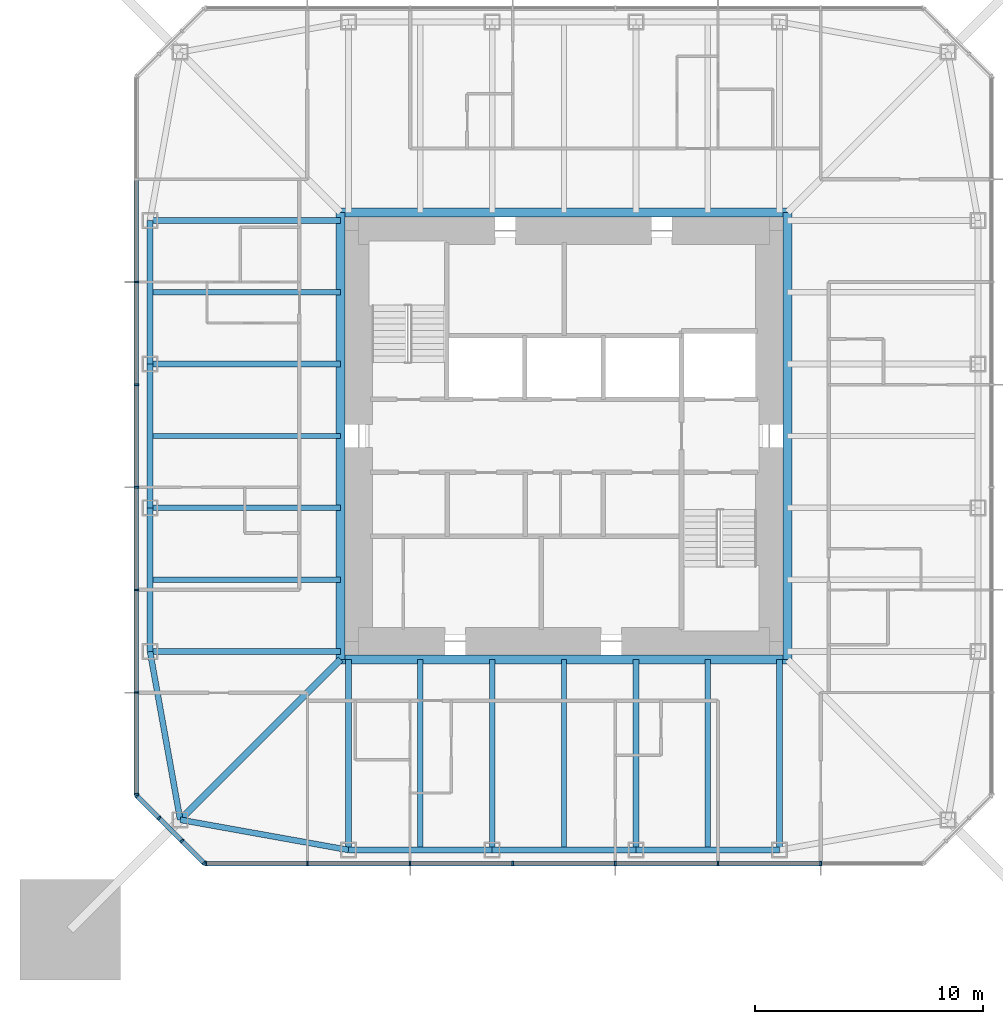
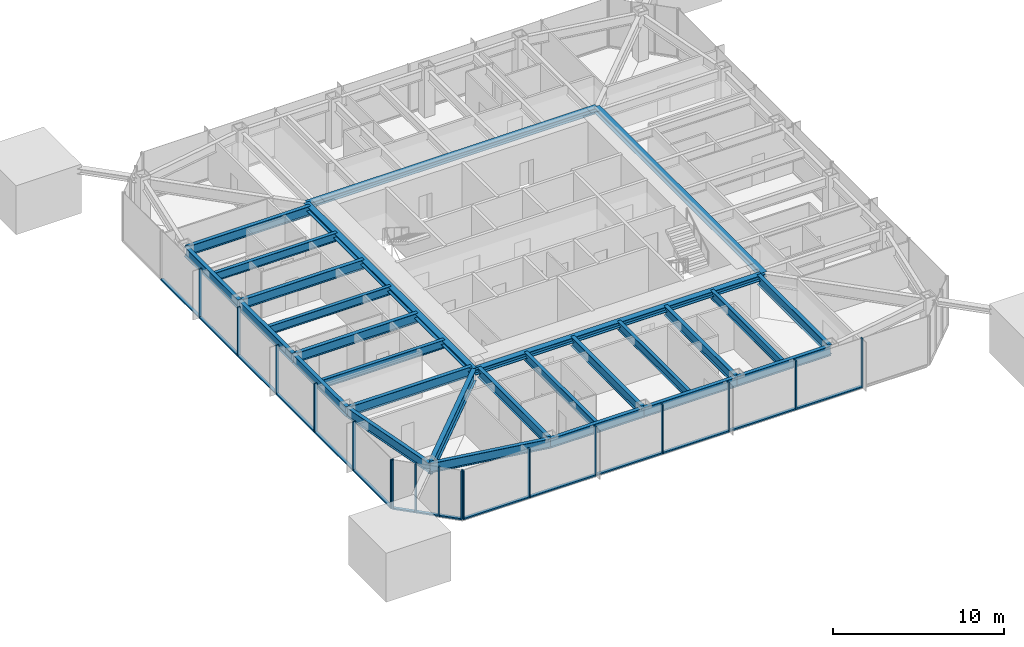
# One storey, part 2 of 11: 32 members, 27 beams, 3 elements without a shape of their own.
"""IFC4 building model written with IfcOpenShell, lengths in metres."""

from ifc_helpers import new_model, si_unit, direction, frame, origin, origin_2d, place, context, subcontext, project, spatial, rectangle, i_section, extrude, material, material_profile, profile_set, type_object, element, aggregate, save


model = new_model("IFC4")

# Units and contexts
model_context = context("Model", 3, precision=1e-05, world=origin(), true_north=direction((0.0, 1.0)))
body_context = subcontext(model_context, "Body", "Model", "MODEL_VIEW")
ifc_project = project(units=[si_unit("LENGTHUNIT", "METRE"), si_unit("AREAUNIT", "SQUARE_METRE"), si_unit("VOLUMEUNIT", "CUBIC_METRE"), si_unit("PLANEANGLEUNIT", "RADIAN"), si_unit("MASSUNIT", "GRAM", prefix="KILO")], contexts=[model_context])

# Site, building, storey
site_placement = place(None, origin())
site = spatial("IfcSite", under=ifc_project, at=site_placement, CompositionType="ELEMENT")
building_placement = place(site_placement, origin())
building = spatial("IfcBuilding", under=site, at=building_placement, Name="Iwan Alto Co-Living Towers", CompositionType="ELEMENT")
storey_placement = place(building_placement, frame((0.0, 0.0, 174.0)))
storey = spatial("IfcBuildingStorey", under=building, at=storey_placement, Name="L47", CompositionType="ELEMENT", Elevation=174.0)

# Curtain wall, members
ifc_material_1 = material(Name="Bronze aluminium unitised frame", Category="aluminium")
curtain_wall_type_1 = type_object("IfcCurtainWallType", Name="CURTAIN WALL CW-A", PredefinedType="NOTDEFINED", material=ifc_material_1)
curtain_wall_1_placement = place(storey_placement, origin())
curtain_wall_1 = element("IfcCurtainWall", 1, at=curtain_wall_1_placement, inside=storey, type_object=curtain_wall_type_1, Name="T1 curtain wall S L47", PredefinedType="NOTDEFINED")
ifc_material_2 = material(Name="Aluminium 6063-T6 bronze anodised", Category="aluminium")
ifc_material_profile_1 = material_profile(ifc_material_2, rectangle(XDim=0.199951171875, YDim=0.080078125, at=origin_2d()), Name="AL 80X200")
ifc_profile_set_1 = profile_set([ifc_material_profile_1], Name="Aluminium 6063-T6 bronze anodised")
member_type_1 = type_object("IfcMemberType", Name="CW-A MULLION 80X200", PredefinedType="MULLION", material=ifc_profile_set_1)
member_1_placement = place(storey_placement, frame((-15.7099609375, -18.75, 0.0), z_axis=(0.0, 0.0, 1.0), x_axis=(0.0, 1.0, 0.0)))
member_1 = element("IfcMember", 2, at=member_1_placement, type_object=member_type_1, Name="CW-A mullion 1", PredefinedType="MULLION", context=body_context, shape_type="SweptSolid", body=[
    extrude(rectangle(XDim=0.199951171875, YDim=0.080078125, at=origin_2d()), origin(), (0.0, 0.0, 1.0), 3.5),
])
member_2_placement = place(storey_placement, frame((-11.25, -18.75, 0.0), z_axis=(0.0, 0.0, 1.0), x_axis=(0.0, 1.0, 0.0)))
member_2 = element("IfcMember", 3, at=member_2_placement, type_object=member_type_1, Name="CW-A mullion 2", PredefinedType="MULLION", context=body_context, shape_type="SweptSolid", body=[
    extrude(rectangle(XDim=0.199951171875, YDim=0.080078125, at=origin_2d()), origin(), (0.0, 0.0, 1.0), 3.5),
])
member_3_placement = place(storey_placement, frame((-6.75, -18.75, 0.0), z_axis=(0.0, 0.0, 1.0), x_axis=(0.0, 1.0, 0.0)))
member_3 = element("IfcMember", 4, at=member_3_placement, type_object=member_type_1, Name="CW-A mullion 3", PredefinedType="MULLION", context=body_context, shape_type="SweptSolid", body=[
    extrude(rectangle(XDim=0.199951171875, YDim=0.080078125, at=origin_2d()), origin(), (0.0, 0.0, 1.0), 3.5),
])
member_4_placement = place(storey_placement, frame((-2.25, -18.75, 0.0), z_axis=(0.0, 0.0, 1.0), x_axis=(0.0, 1.0, 0.0)))
member_4 = element("IfcMember", 5, at=member_4_placement, type_object=member_type_1, Name="CW-A mullion 4", PredefinedType="MULLION", context=body_context, shape_type="SweptSolid", body=[
    extrude(rectangle(XDim=0.199951171875, YDim=0.080078125, at=origin_2d()), origin(), (0.0, 0.0, 1.0), 3.5),
])
member_5_placement = place(storey_placement, frame((2.25, -18.75, 0.0), z_axis=(0.0, 0.0, 1.0), x_axis=(0.0, 1.0, 0.0)))
member_5 = element("IfcMember", 6, at=member_5_placement, type_object=member_type_1, Name="CW-A mullion 5", PredefinedType="MULLION", context=body_context, shape_type="SweptSolid", body=[
    extrude(rectangle(XDim=0.199951171875, YDim=0.080078125, at=origin_2d()), origin(), (0.0, 0.0, 1.0), 3.5),
])
member_6_placement = place(storey_placement, frame((6.75, -18.75, 0.0), z_axis=(0.0, 0.0, 1.0), x_axis=(0.0, 1.0, 0.0)))
member_6 = element("IfcMember", 7, at=member_6_placement, type_object=member_type_1, Name="CW-A mullion 6", PredefinedType="MULLION", context=body_context, shape_type="SweptSolid", body=[
    extrude(rectangle(XDim=0.199951171875, YDim=0.080078125, at=origin_2d()), origin(), (0.0, 0.0, 1.0), 3.5),
])
member_7_placement = place(storey_placement, frame((11.25, -18.75, 0.0), z_axis=(0.0, 0.0, 1.0), x_axis=(0.0, 1.0, 0.0)))
member_7 = element("IfcMember", 8, at=member_7_placement, type_object=member_type_1, Name="CW-A mullion 7", PredefinedType="MULLION", context=body_context, shape_type="SweptSolid", body=[
    extrude(rectangle(XDim=0.199951171875, YDim=0.080078125, at=origin_2d()), origin(), (0.0, 0.0, 1.0), 3.5),
])

curtain_wall_2_placement = place(storey_placement, origin())
curtain_wall_2 = element("IfcCurtainWall", 9, at=curtain_wall_2_placement, inside=storey, type_object=curtain_wall_type_1, Name="T1 curtain wall W L47", PredefinedType="NOTDEFINED")
member_8_placement = place(storey_placement, frame((-18.75, 6.75, 0.0), z_axis=(0.0, 0.0, 1.0), x_axis=(1.0, 0.0, 0.0)))
member_8 = element("IfcMember", 10, at=member_8_placement, type_object=member_type_1, Name="CW-A mullion 3", PredefinedType="MULLION", context=body_context, shape_type="SweptSolid", body=[
    extrude(rectangle(XDim=0.199951171875, YDim=0.080078125, at=origin_2d()), origin(), (0.0, 0.0, 1.0), 3.5),
])
member_9_placement = place(storey_placement, frame((-18.75, 2.25, 0.0), z_axis=(0.0, 0.0, 1.0), x_axis=(1.0, 0.0, 0.0)))
member_9 = element("IfcMember", 11, at=member_9_placement, type_object=member_type_1, Name="CW-A mullion 4", PredefinedType="MULLION", context=body_context, shape_type="SweptSolid", body=[
    extrude(rectangle(XDim=0.199951171875, YDim=0.080078125, at=origin_2d()), origin(), (0.0, 0.0, 1.0), 3.5),
])
member_10_placement = place(storey_placement, frame((-18.75, -2.25, 0.0), z_axis=(0.0, 0.0, 1.0), x_axis=(1.0, 0.0, 0.0)))
member_10 = element("IfcMember", 12, at=member_10_placement, type_object=member_type_1, Name="CW-A mullion 5", PredefinedType="MULLION", context=body_context, shape_type="SweptSolid", body=[
    extrude(rectangle(XDim=0.199951171875, YDim=0.080078125, at=origin_2d()), origin(), (0.0, 0.0, 1.0), 3.5),
])
member_11_placement = place(storey_placement, frame((-18.75, -6.75, 0.0), z_axis=(0.0, 0.0, 1.0), x_axis=(1.0, 0.0, 0.0)))
member_11 = element("IfcMember", 13, at=member_11_placement, type_object=member_type_1, Name="CW-A mullion 6", PredefinedType="MULLION", context=body_context, shape_type="SweptSolid", body=[
    extrude(rectangle(XDim=0.199951171875, YDim=0.080078125, at=origin_2d()), origin(), (0.0, 0.0, 1.0), 3.5),
])
member_12_placement = place(storey_placement, frame((-18.75, -11.25, 0.0), z_axis=(0.0, 0.0, 1.0), x_axis=(1.0, 0.0, 0.0)))
member_12 = element("IfcMember", 14, at=member_12_placement, type_object=member_type_1, Name="CW-A mullion 7", PredefinedType="MULLION", context=body_context, shape_type="SweptSolid", body=[
    extrude(rectangle(XDim=0.199951171875, YDim=0.080078125, at=origin_2d()), origin(), (0.0, 0.0, 1.0), 3.5),
])
member_13_placement = place(storey_placement, frame((-18.75, -15.7099609375, 0.0), z_axis=(0.0, 0.0, 1.0), x_axis=(1.0, 0.0, 0.0)))
member_13 = element("IfcMember", 15, at=member_13_placement, type_object=member_type_1, Name="CW-A mullion 8", PredefinedType="MULLION", context=body_context, shape_type="SweptSolid", body=[
    extrude(rectangle(XDim=0.199951171875, YDim=0.080078125, at=origin_2d()), origin(), (0.0, 0.0, 1.0), 3.5),
])

# Member
ifc_material_3 = material(Name="Aluminium 6063-T6 bronze anodised", Category="aluminium")
ifc_material_profile_2 = material_profile(ifc_material_3, rectangle(XDim=0.199951171875, YDim=0.10009765625, at=origin_2d()), Name="AL 200X100")
ifc_profile_set_2 = profile_set([ifc_material_profile_2], Name="Aluminium 6063-T6 bronze anodised")
member_type_2 = type_object("IfcMemberType", Name="CW-A TRANSOM 200X100", PredefinedType="USERDEFINED", material=ifc_profile_set_2)
member_14_placement = place(storey_placement, frame((-15.669921875, -18.75, 0.050048828125), z_axis=(1.0, 0.0, 0.0), x_axis=(0.0, 1.0, 0.0)))
member_14 = element("IfcMember", 16, at=member_14_placement, type_object=member_type_2, Name="CW-A transom 1.1", ObjectType="TRANSOM", PredefinedType="USERDEFINED", context=body_context, shape_type="SweptSolid", body=[
    extrude(rectangle(XDim=0.199951171875, YDim=0.10009765625, at=origin_2d()), origin(), (0.0, 0.0, 1.0), 4.3798828125),
])

member_15_placement = place(storey_placement, frame((-11.2099609375, -18.75, 0.050048828125), z_axis=(1.0, 0.0, 0.0), x_axis=(0.0, 1.0, 0.0)))
member_15 = element("IfcMember", 17, at=member_15_placement, type_object=member_type_2, Name="CW-A transom 2.1", ObjectType="TRANSOM", PredefinedType="USERDEFINED", context=body_context, shape_type="SweptSolid", body=[
    extrude(rectangle(XDim=0.199951171875, YDim=0.10009765625, at=origin_2d()), origin(), (0.0, 0.0, 1.0), 4.419921875),
])

member_16_placement = place(storey_placement, frame((-6.7099609375, -18.75, 0.050048828125), z_axis=(1.0, 0.0, 0.0), x_axis=(0.0, 1.0, 0.0)))
member_16 = element("IfcMember", 18, at=member_16_placement, type_object=member_type_2, Name="CW-A transom 3.1", ObjectType="TRANSOM", PredefinedType="USERDEFINED", context=body_context, shape_type="SweptSolid", body=[
    extrude(rectangle(XDim=0.199951171875, YDim=0.10009765625, at=origin_2d()), origin(), (0.0, 0.0, 1.0), 4.419921875),
])

member_17_placement = place(storey_placement, frame((-2.2099609375, -18.75, 0.050048828125), z_axis=(1.0, 0.0, 0.0), x_axis=(0.0, 1.0, 0.0)))
member_17 = element("IfcMember", 19, at=member_17_placement, type_object=member_type_2, Name="CW-A transom 4.1", ObjectType="TRANSOM", PredefinedType="USERDEFINED", context=body_context, shape_type="SweptSolid", body=[
    extrude(rectangle(XDim=0.199951171875, YDim=0.10009765625, at=origin_2d()), origin(), (0.0, 0.0, 1.0), 4.419921875),
])

member_18_placement = place(storey_placement, frame((2.2900390625, -18.75, 0.050048828125), z_axis=(1.0, 0.0, 0.0), x_axis=(0.0, 1.0, 0.0)))
member_18 = element("IfcMember", 20, at=member_18_placement, type_object=member_type_2, Name="CW-A transom 5.1", ObjectType="TRANSOM", PredefinedType="USERDEFINED", context=body_context, shape_type="SweptSolid", body=[
    extrude(rectangle(XDim=0.199951171875, YDim=0.10009765625, at=origin_2d()), origin(), (0.0, 0.0, 1.0), 4.419921875),
])

member_19_placement = place(storey_placement, frame((6.7900390625, -18.75, 0.050048828125), z_axis=(1.0, 0.0, 0.0), x_axis=(0.0, 1.0, 0.0)))
member_19 = element("IfcMember", 21, at=member_19_placement, type_object=member_type_2, Name="CW-A transom 6.1", ObjectType="TRANSOM", PredefinedType="USERDEFINED", context=body_context, shape_type="SweptSolid", body=[
    extrude(rectangle(XDim=0.199951171875, YDim=0.10009765625, at=origin_2d()), origin(), (0.0, 0.0, 1.0), 4.419921875),
])

aggregate(curtain_wall_1, [member_1, member_2, member_3, member_4, member_5, member_6, member_7, member_14, member_15, member_16, member_17, member_18, member_19])

member_20_placement = place(storey_placement, frame((-18.75, 11.2099609375, 0.050048828125), z_axis=(0.0, -1.0, 0.0), x_axis=(1.0, 0.0, 0.0)))
member_20 = element("IfcMember", 22, at=member_20_placement, type_object=member_type_2, Name="CW-A transom 2.1", ObjectType="TRANSOM", PredefinedType="USERDEFINED", context=body_context, shape_type="SweptSolid", body=[
    extrude(rectangle(XDim=0.199951171875, YDim=0.10009765625, at=origin_2d()), origin(), (0.0, 0.0, 1.0), 4.419921875),
])

member_21_placement = place(storey_placement, frame((-18.75, 6.7099609375, 0.050048828125), z_axis=(0.0, -1.0, 0.0), x_axis=(1.0, 0.0, 0.0)))
member_21 = element("IfcMember", 23, at=member_21_placement, type_object=member_type_2, Name="CW-A transom 3.1", ObjectType="TRANSOM", PredefinedType="USERDEFINED", context=body_context, shape_type="SweptSolid", body=[
    extrude(rectangle(XDim=0.199951171875, YDim=0.10009765625, at=origin_2d()), origin(), (0.0, 0.0, 1.0), 4.419921875),
])

member_22_placement = place(storey_placement, frame((-18.75, 2.2099609375, 0.050048828125), z_axis=(0.0, -1.0, 0.0), x_axis=(1.0, 0.0, 0.0)))
member_22 = element("IfcMember", 24, at=member_22_placement, type_object=member_type_2, Name="CW-A transom 4.1", ObjectType="TRANSOM", PredefinedType="USERDEFINED", context=body_context, shape_type="SweptSolid", body=[
    extrude(rectangle(XDim=0.199951171875, YDim=0.10009765625, at=origin_2d()), origin(), (0.0, 0.0, 1.0), 4.419921875),
])

member_23_placement = place(storey_placement, frame((-18.75, -2.2900390625, 0.050048828125), z_axis=(0.0, -1.0, 0.0), x_axis=(1.0, 0.0, 0.0)))
member_23 = element("IfcMember", 25, at=member_23_placement, type_object=member_type_2, Name="CW-A transom 5.1", ObjectType="TRANSOM", PredefinedType="USERDEFINED", context=body_context, shape_type="SweptSolid", body=[
    extrude(rectangle(XDim=0.199951171875, YDim=0.10009765625, at=origin_2d()), origin(), (0.0, 0.0, 1.0), 4.419921875),
])

member_24_placement = place(storey_placement, frame((-18.75, -6.7900390625, 0.050048828125), z_axis=(0.0, -1.0, 0.0), x_axis=(1.0, 0.0, 0.0)))
member_24 = element("IfcMember", 26, at=member_24_placement, type_object=member_type_2, Name="CW-A transom 6.1", ObjectType="TRANSOM", PredefinedType="USERDEFINED", context=body_context, shape_type="SweptSolid", body=[
    extrude(rectangle(XDim=0.199951171875, YDim=0.10009765625, at=origin_2d()), origin(), (0.0, 0.0, 1.0), 4.419921875),
])

member_25_placement = place(storey_placement, frame((-18.75, -11.2900390625, 0.050048828125), z_axis=(0.0, -1.0, 0.0), x_axis=(1.0, 0.0, 0.0)))
member_25 = element("IfcMember", 27, at=member_25_placement, type_object=member_type_2, Name="CW-A transom 7.1", ObjectType="TRANSOM", PredefinedType="USERDEFINED", context=body_context, shape_type="SweptSolid", body=[
    extrude(rectangle(XDim=0.199951171875, YDim=0.10009765625, at=origin_2d()), origin(), (0.0, 0.0, 1.0), 4.3798828125),
])

aggregate(curtain_wall_2, [member_8, member_9, member_10, member_11, member_12, member_13, member_20, member_21, member_22, member_23, member_24, member_25])

# Curtain wall, members
ifc_material_4 = material(Name="Bronze aluminium unitised frame", Category="aluminium")
curtain_wall_type_2 = type_object("IfcCurtainWallType", Name="CURTAIN WALL CW-B", PredefinedType="NOTDEFINED", material=ifc_material_4)
curtain_wall_3_placement = place(storey_placement, origin())
curtain_wall_3 = element("IfcCurtainWall", 28, at=curtain_wall_3_placement, inside=storey, type_object=curtain_wall_type_2, Name="T1 chamfer curtain wall SW L47", PredefinedType="NOTDEFINED")
ifc_material_5 = material(Name="Aluminium 6063-T6 bronze anodised", Category="aluminium")
ifc_material_profile_3 = material_profile(ifc_material_5, rectangle(XDim=0.199951171875, YDim=0.080078125, at=origin_2d()), Name="AL 80X200")
ifc_profile_set_3 = profile_set([ifc_material_profile_3], Name="Aluminium 6063-T6 bronze anodised")
member_type_3 = type_object("IfcMemberType", Name="CW-B MULLION 80X200", PredefinedType="MULLION", material=ifc_profile_set_3)
member_26_placement = place(storey_placement, frame((-18.7216796875, -15.7783203125, 0.0), z_axis=(0.0, 0.0, 1.0), x_axis=(0.707106781187, 0.707106781187, 0.0)))
member_26 = element("IfcMember", 29, at=member_26_placement, type_object=member_type_3, Name="CW-B mullion 1", PredefinedType="MULLION", context=body_context, shape_type="SweptSolid", body=[
    extrude(rectangle(XDim=0.199951171875, YDim=0.080078125, at=origin_2d()), origin(), (0.0, 0.0, 1.0), 3.5),
])
member_27_placement = place(storey_placement, frame((-17.75, -16.75, 0.0), z_axis=(0.0, 0.0, 1.0), x_axis=(0.707106781187, 0.707106781187, 0.0)))
member_27 = element("IfcMember", 30, at=member_27_placement, type_object=member_type_3, Name="CW-B mullion 2", PredefinedType="MULLION", context=body_context, shape_type="SweptSolid", body=[
    extrude(rectangle(XDim=0.199951171875, YDim=0.080078125, at=origin_2d()), origin(), (0.0, 0.0, 1.0), 3.5),
])
member_28_placement = place(storey_placement, frame((-16.75, -17.75, 0.0), z_axis=(0.0, 0.0, 1.0), x_axis=(0.707106781187, 0.707106781187, 0.0)))
member_28 = element("IfcMember", 31, at=member_28_placement, type_object=member_type_3, Name="CW-B mullion 3", PredefinedType="MULLION", context=body_context, shape_type="SweptSolid", body=[
    extrude(rectangle(XDim=0.199951171875, YDim=0.080078125, at=origin_2d()), origin(), (0.0, 0.0, 1.0), 3.5),
])
member_29_placement = place(storey_placement, frame((-15.7783203125, -18.7216796875, 0.0), z_axis=(0.0, 0.0, 1.0), x_axis=(0.707106781187, 0.707106781187, 0.0)))
member_29 = element("IfcMember", 32, at=member_29_placement, type_object=member_type_3, Name="CW-B mullion 4", PredefinedType="MULLION", context=body_context, shape_type="SweptSolid", body=[
    extrude(rectangle(XDim=0.199951171875, YDim=0.080078125, at=origin_2d()), origin(), (0.0, 0.0, 1.0), 3.5),
])
ifc_material_6 = material(Name="Aluminium 6063-T6 bronze anodised", Category="aluminium")
ifc_material_profile_4 = material_profile(ifc_material_6, rectangle(XDim=0.199951171875, YDim=0.10009765625, at=origin_2d()), Name="AL 200X100")
ifc_profile_set_4 = profile_set([ifc_material_profile_4], Name="Aluminium 6063-T6 bronze anodised")
member_type_4 = type_object("IfcMemberType", Name="CW-B TRANSOM 200X100", PredefinedType="USERDEFINED", material=ifc_profile_set_4)
member_30_placement = place(storey_placement, frame((-18.693359375, -15.806640625, 0.050048828125), z_axis=(0.707106781187, -0.707106781187, 0.0), x_axis=(0.707106781187, 0.707106781187, 0.0)))
member_30 = element("IfcMember", 33, at=member_30_placement, type_object=member_type_4, Name="CW-B transom 1.1", ObjectType="TRANSOM", PredefinedType="USERDEFINED", context=body_context, shape_type="SweptSolid", body=[
    extrude(rectangle(XDim=0.199951171875, YDim=0.10009765625, at=origin_2d()), origin(), (0.0, 0.0, 1.0), 1.2939453125),
])
member_31_placement = place(storey_placement, frame((-17.7216796875, -16.7783203125, 0.050048828125), z_axis=(0.707106781187, -0.707106781187, 0.0), x_axis=(0.707106781187, 0.707106781187, 0.0)))
member_31 = element("IfcMember", 34, at=member_31_placement, type_object=member_type_4, Name="CW-B transom 2.1", ObjectType="TRANSOM", PredefinedType="USERDEFINED", context=body_context, shape_type="SweptSolid", body=[
    extrude(rectangle(XDim=0.199951171875, YDim=0.10009765625, at=origin_2d()), origin(), (0.0, 0.0, 1.0), 1.334228515625),
])
member_32_placement = place(storey_placement, frame((-16.7216796875, -17.7783203125, 0.050048828125), z_axis=(0.707106781187, -0.707106781187, 0.0), x_axis=(0.707106781187, 0.707106781187, 0.0)))
member_32 = element("IfcMember", 35, at=member_32_placement, type_object=member_type_4, Name="CW-B transom 3.1", ObjectType="TRANSOM", PredefinedType="USERDEFINED", context=body_context, shape_type="SweptSolid", body=[
    extrude(rectangle(XDim=0.199951171875, YDim=0.10009765625, at=origin_2d()), origin(), (0.0, 0.0, 1.0), 1.2939453125),
])
aggregate(curtain_wall_3, [member_26, member_27, member_28, member_29, member_30, member_31, member_32])

# Beams
ifc_material_7 = material(Name="Steel ASTM A992 Gr 50", Category="steel")
ifc_material_profile_5 = material_profile(ifc_material_7, i_section(OverallWidth=0.398681640625, OverallDepth=0.385986328125, WebThickness=0.02099609375, FlangeThickness=0.033203125, at=origin_2d()), Name="W14X176")
ifc_profile_set_5 = profile_set([ifc_material_profile_5], Name="Steel ASTM A992 Gr 50")
beam_type_1 = type_object("IfcBeamType", Name="T1 CORE LEDGER BEAM W14X176", PredefinedType="BEAM", material=ifc_profile_set_5)
for number, where, z_axis, x_axis, name in (
    (36, (-9.79931640625, -9.79931640625, 3.076904296875), (1.0, 0.0, 0.0), (0.0, 1.0, 0.0), "T1 core ledger beam S L48"),
    (37, (9.79931640625, -9.79931640625, 3.076904296875), (0.0, 1.0, 0.0), (-1.0, 0.0, 0.0), "T1 core ledger beam E L48"),
    (38, (9.79931640625, 9.79931640625, 3.076904296875), (-1.0, 0.0, 0.0), (0.0, -1.0, 0.0), "T1 core ledger beam N L48"),
    (39, (-9.79931640625, 9.79931640625, 3.076904296875), (0.0, -1.0, 0.0), (1.0, 0.0, 0.0), "T1 core ledger beam W L48"),
):
    element("IfcBeam", number, at=place(storey_placement, frame(where, z_axis=z_axis, x_axis=x_axis)), inside=storey, type_object=beam_type_1, Name=name, PredefinedType="BEAM", context=body_context, shape_type="SweptSolid", body=[
        extrude(i_section(OverallWidth=0.398681640625, OverallDepth=0.385986328125, WebThickness=0.02099609375, FlangeThickness=0.033203125, at=origin_2d()), origin(), (0.0, 0.0, 1.0), 19.5986328125),
    ])
ifc_material_8 = material(Name="Steel ASTM A992 Gr 50", Category="steel")
ifc_material_profile_6 = material_profile(ifc_material_8, i_section(OverallWidth=0.2919921875, OverallDepth=0.8408203125, WebThickness=0.0146484375, FlangeThickness=0.021728515625, at=origin_2d()), Name="W33X130")
ifc_profile_set_6 = profile_set([ifc_material_profile_6], Name="Steel ASTM A992 Gr 50")
beam_type_2 = type_object("IfcBeamType", Name="T1 CORNER GIRDER W33X130", PredefinedType="BEAM", material=ifc_profile_set_6)
beam_1_placement = place(storey_placement, frame((-16.82568359375, -16.82568359375, 2.849609375), z_axis=(0.707106781187, 0.707106781187, 0.0), x_axis=(-0.707106781187, 0.707106781187, 0.0)))
element("IfcBeam", 40, at=beam_1_placement, inside=storey, type_object=beam_type_2, Name="T1 corner girder CSW L48", PredefinedType="BEAM", context=body_context, shape_type="SweptSolid", body=[
    extrude(i_section(OverallWidth=0.2919921875, OverallDepth=0.8408203125, WebThickness=0.0146484375, FlangeThickness=0.021728515625, at=origin_2d()), origin(), (0.0, 0.0, 1.0), 9.936767578125),
])
ifc_material_9 = material(Name="Steel ASTM A992 Gr 50", Category="steel")
ifc_material_profile_7 = material_profile(ifc_material_9, i_section(OverallWidth=0.25390625, OverallDepth=0.683349609375, WebThickness=0.012451171875, FlangeThickness=0.018798828125, at=origin_2d()), Name="W27X94")
ifc_profile_set_7 = profile_set([ifc_material_profile_7], Name="Steel ASTM A992 Gr 50")
beam_type_3 = type_object("IfcBeamType", Name="T1 EDGE BEAM W27X94", PredefinedType="BEAM", material=ifc_profile_set_7)
beam_2_placement = place(storey_placement, frame((-16.82568359375, -16.82568359375, 2.928466796875), z_axis=(0.98426263553, -0.17671181143, 0.0), x_axis=(0.17671181143, 0.98426263553, 0.0)))
element("IfcBeam", 41, at=beam_2_placement, inside=storey, type_object=beam_type_3, Name="T1 edge beam CSW L48", PredefinedType="BEAM", context=body_context, shape_type="SweptSolid", body=[
    extrude(i_section(OverallWidth=0.25390625, OverallDepth=0.683349609375, WebThickness=0.012451171875, FlangeThickness=0.018798828125, at=origin_2d()), origin(), (0.0, 0.0, 1.0), 7.49365234375),
])
beam_3_placement = place(storey_placement, frame((-9.449951171875, -18.14990234375, 2.928466796875), z_axis=(1.0, 0.0, 0.0), x_axis=(0.0, 1.0, 0.0)))
element("IfcBeam", 42, at=beam_3_placement, inside=storey, type_object=beam_type_3, Name="T1 edge beam S1 L48", PredefinedType="BEAM", context=body_context, shape_type="SweptSolid", body=[
    extrude(i_section(OverallWidth=0.25390625, OverallDepth=0.683349609375, WebThickness=0.012451171875, FlangeThickness=0.018798828125, at=origin_2d()), origin(), (0.0, 0.0, 1.0), 6.300048828125),
])
beam_4_placement = place(storey_placement, frame((-3.14990234375, -18.14990234375, 2.928466796875), z_axis=(1.0, 0.0, 0.0), x_axis=(0.0, 1.0, 0.0)))
element("IfcBeam", 43, at=beam_4_placement, inside=storey, type_object=beam_type_3, Name="T1 edge beam S2 L48", PredefinedType="BEAM", context=body_context, shape_type="SweptSolid", body=[
    extrude(i_section(OverallWidth=0.25390625, OverallDepth=0.683349609375, WebThickness=0.012451171875, FlangeThickness=0.018798828125, at=origin_2d()), origin(), (0.0, 0.0, 1.0), 6.2998046875),
])
for number, where, z_axis, x_axis, name in (
    (44, (3.14990234375, -18.14990234375, 2.928466796875), (1.0, 0.0, 0.0), (0.0, 1.0, 0.0), "T1 edge beam S3 L48"),
    (45, (-18.14990234375, 9.449951171875, 2.928466796875), (0.0, -1.0, 0.0), (1.0, 0.0, 0.0), "T1 edge beam W1 L48"),
):
    element("IfcBeam", number, at=place(storey_placement, frame(where, z_axis=z_axis, x_axis=x_axis)), inside=storey, type_object=beam_type_3, Name=name, PredefinedType="BEAM", context=body_context, shape_type="SweptSolid", body=[
        extrude(i_section(OverallWidth=0.25390625, OverallDepth=0.683349609375, WebThickness=0.012451171875, FlangeThickness=0.018798828125, at=origin_2d()), origin(), (0.0, 0.0, 1.0), 6.300048828125),
    ])
beam_5_placement = place(storey_placement, frame((-18.14990234375, 3.14990234375, 2.928466796875), z_axis=(0.0, -1.0, 0.0), x_axis=(1.0, 0.0, 0.0)))
element("IfcBeam", 46, at=beam_5_placement, inside=storey, type_object=beam_type_3, Name="T1 edge beam W2 L48", PredefinedType="BEAM", context=body_context, shape_type="SweptSolid", body=[
    extrude(i_section(OverallWidth=0.25390625, OverallDepth=0.683349609375, WebThickness=0.012451171875, FlangeThickness=0.018798828125, at=origin_2d()), origin(), (0.0, 0.0, 1.0), 6.2998046875),
])
beam_6_placement = place(storey_placement, frame((-18.14990234375, -3.14990234375, 2.928466796875), z_axis=(0.0, -1.0, 0.0), x_axis=(1.0, 0.0, 0.0)))
element("IfcBeam", 47, at=beam_6_placement, inside=storey, type_object=beam_type_3, Name="T1 edge beam W3 L48", PredefinedType="BEAM", context=body_context, shape_type="SweptSolid", body=[
    extrude(i_section(OverallWidth=0.25390625, OverallDepth=0.683349609375, WebThickness=0.012451171875, FlangeThickness=0.018798828125, at=origin_2d()), origin(), (0.0, 0.0, 1.0), 6.300048828125),
])
beam_7_placement = place(storey_placement, frame((-18.14990234375, -9.449951171875, 2.928466796875), z_axis=(0.17671181143, -0.98426263553, 0.0), x_axis=(0.98426263553, 0.17671181143, 0.0)))
element("IfcBeam", 48, at=beam_7_placement, inside=storey, type_object=beam_type_3, Name="T1 edge beam W4 L48", PredefinedType="BEAM", context=body_context, shape_type="SweptSolid", body=[
    extrude(i_section(OverallWidth=0.25390625, OverallDepth=0.683349609375, WebThickness=0.012451171875, FlangeThickness=0.018798828125, at=origin_2d()), origin(), (0.0, 0.0, 1.0), 7.49365234375),
])
ifc_material_10 = material(Name="Steel ASTM A992 Gr 50", Category="steel")
ifc_material_profile_8 = material_profile(ifc_material_10, i_section(OverallWidth=0.25390625, OverallDepth=0.683349609375, WebThickness=0.012451171875, FlangeThickness=0.018798828125, at=origin_2d()), Name="W27X94")
ifc_profile_set_8 = profile_set([ifc_material_profile_8], Name="Steel ASTM A992 Gr 50")
beam_type_4 = type_object("IfcBeamType", Name="T1 RADIAL BEAM W27X94", PredefinedType="BEAM", material=ifc_profile_set_8)
for number, where, z_axis, x_axis, name in (
    (49, (-9.449951171875, -18.14990234375, 2.928466796875), (0.0, 1.0, 0.0), (-1.0, 0.0, 0.0), "T1 radial beam S1 L48"),
    (50, (-3.14990234375, -18.14990234375, 2.928466796875), (0.0, 1.0, 0.0), (-1.0, 0.0, 0.0), "T1 radial beam S2 L48"),
    (51, (3.14990234375, -18.14990234375, 2.928466796875), (0.0, 1.0, 0.0), (-1.0, 0.0, 0.0), "T1 radial beam S3 L48"),
    (52, (9.449951171875, -18.14990234375, 2.928466796875), (0.0, 1.0, 0.0), (-1.0, 0.0, 0.0), "T1 radial beam S4 L48"),
    (53, (-18.14990234375, 9.449951171875, 2.928466796875), (1.0, 0.0, 0.0), (0.0, 1.0, 0.0), "T1 radial beam W1 L48"),
    (54, (-18.14990234375, 3.14990234375, 2.928466796875), (1.0, 0.0, 0.0), (0.0, 1.0, 0.0), "T1 radial beam W2 L48"),
    (55, (-18.14990234375, -3.14990234375, 2.928466796875), (1.0, 0.0, 0.0), (0.0, 1.0, 0.0), "T1 radial beam W3 L48"),
    (56, (-18.14990234375, -9.449951171875, 2.928466796875), (1.0, 0.0, 0.0), (0.0, 1.0, 0.0), "T1 radial beam W4 L48"),
):
    element("IfcBeam", number, at=place(storey_placement, frame(where, z_axis=z_axis, x_axis=x_axis)), inside=storey, type_object=beam_type_4, Name=name, PredefinedType="BEAM", context=body_context, shape_type="SweptSolid", body=[
        extrude(i_section(OverallWidth=0.25390625, OverallDepth=0.683349609375, WebThickness=0.012451171875, FlangeThickness=0.018798828125, at=origin_2d()), origin(), (0.0, 0.0, 1.0), 8.3505859375),
    ])
ifc_material_11 = material(Name="Steel ASTM A992 Gr 50", Category="steel")
ifc_material_profile_9 = material_profile(ifc_material_11, i_section(OverallWidth=0.228271484375, OverallDepth=0.607177734375, WebThickness=0.01123046875, FlangeThickness=0.017333984375, at=origin_2d()), Name="W24X76")
ifc_profile_set_9 = profile_set([ifc_material_profile_9], Name="Steel ASTM A992 Gr 50")
beam_type_5 = type_object("IfcBeamType", Name="T1 SECONDARY BEAM W24X76", PredefinedType="JOIST", material=ifc_profile_set_9)
for number, where, z_axis, x_axis, name in (
    (57, (-6.300048828125, -18.14990234375, 2.966552734375), (0.0, 1.0, 0.0), (-1.0, 0.0, 0.0), "T1 secondary beam S1 L48"),
    (58, (0.0, -18.14990234375, 2.966552734375), (0.0, 1.0, 0.0), (-1.0, 0.0, 0.0), "T1 secondary beam S2 L48"),
    (59, (6.300048828125, -18.14990234375, 2.966552734375), (0.0, 1.0, 0.0), (-1.0, 0.0, 0.0), "T1 secondary beam S3 L48"),
    (60, (-18.14990234375, 6.300048828125, 2.966552734375), (1.0, 0.0, 0.0), (0.0, 1.0, 0.0), "T1 secondary beam W1 L48"),
    (61, (-18.14990234375, 0.0, 2.966552734375), (1.0, 0.0, 0.0), (0.0, 1.0, 0.0), "T1 secondary beam W2 L48"),
    (62, (-18.14990234375, -6.300048828125, 2.966552734375), (1.0, 0.0, 0.0), (0.0, 1.0, 0.0), "T1 secondary beam W3 L48"),
):
    element("IfcBeam", number, at=place(storey_placement, frame(where, z_axis=z_axis, x_axis=x_axis)), inside=storey, type_object=beam_type_5, Name=name, PredefinedType="JOIST", context=body_context, shape_type="SweptSolid", body=[
        extrude(i_section(OverallWidth=0.228271484375, OverallDepth=0.607177734375, WebThickness=0.01123046875, FlangeThickness=0.017333984375, at=origin_2d()), origin(), (0.0, 0.0, 1.0), 8.3505859375),
    ])

save(model, "model.ifc")
